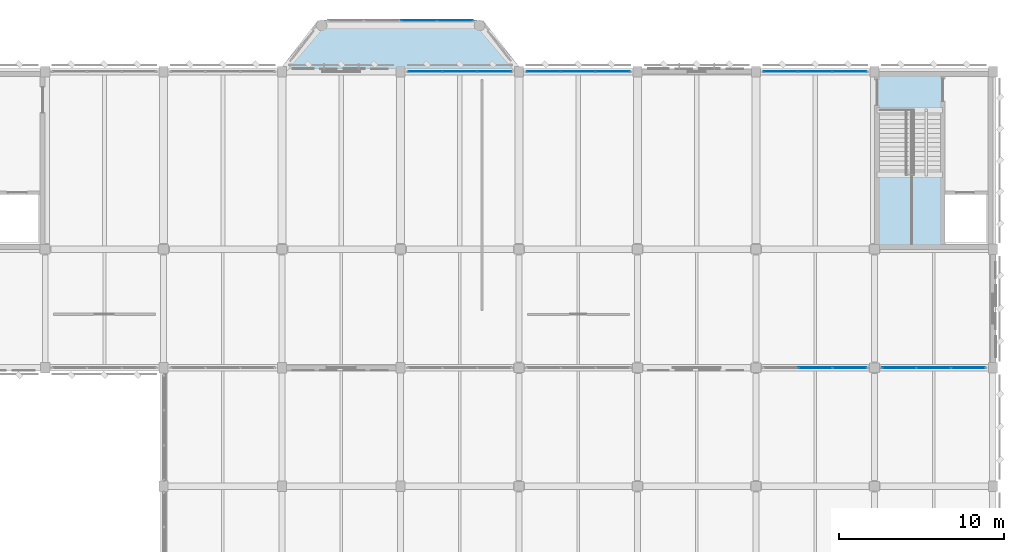
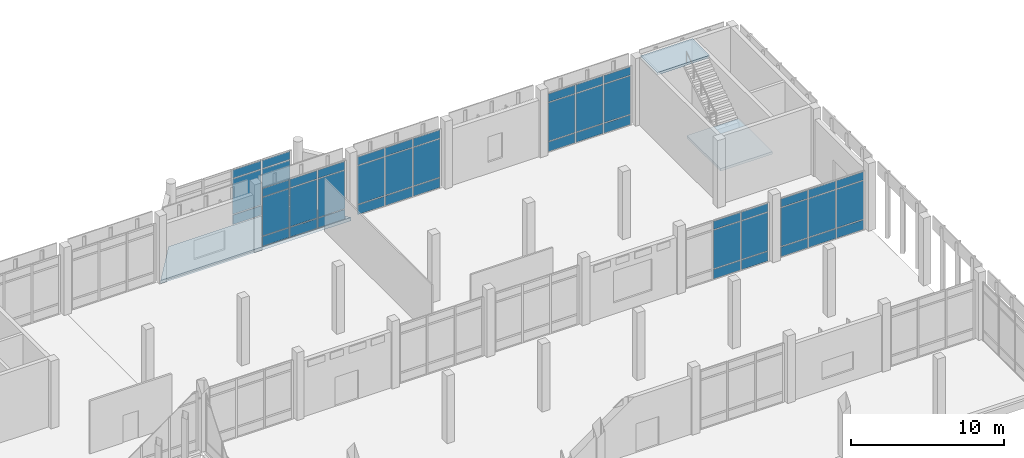
# One storey, part 152 of 180: 48 plates, 3 slabs, 7 elements without a shape of their own.
"""IFC4 building model written with IfcOpenShell, lengths in metres."""

from ifc_helpers import new_model, si_unit, direction, frame, origin, origin_2d, place, context, subcontext, project, spatial, polyline, rectangle, outline, extrude, material, layer, layer_set, type_object, element, aggregate, save


model = new_model("IFC4")

# Units and contexts
model_context = context("Model", 3, precision=1e-05, world=origin(), true_north=direction((0.0, 1.0)))
body_context = subcontext(model_context, "Body", "Model", "MODEL_VIEW")
ifc_project = project(units=[si_unit("LENGTHUNIT", "METRE"), si_unit("AREAUNIT", "SQUARE_METRE"), si_unit("VOLUMEUNIT", "CUBIC_METRE"), si_unit("PLANEANGLEUNIT", "RADIAN"), si_unit("MASSUNIT", "GRAM", prefix="KILO")], contexts=[model_context])

# Site, building, storey
site_placement = place(None, origin())
site = spatial("IfcSite", under=ifc_project, at=site_placement, CompositionType="ELEMENT")
building_placement = place(site_placement, origin())
building = spatial("IfcBuilding", under=site, at=building_placement, Name="Lusvemor Sports Hall", CompositionType="ELEMENT")
storey_placement = place(building_placement, frame((0.0, 0.0, 5.39990234375)))
storey = spatial("IfcBuildingStorey", under=building, at=storey_placement, Name="L01", CompositionType="ELEMENT", Elevation=5.39990234375)

# Curtain wall, plates
ifc_material_1 = material(Name="Thermally broken bronze-anodized aluminium", Category="aluminium")
curtain_wall_type_1 = type_object("IfcCurtainWallType", Name="CW_WING_B", PredefinedType="NOTDEFINED", material=ifc_material_1)
curtain_wall_1_placement = place(storey_placement, origin())
curtain_wall_1 = element("IfcCurtainWall", 1, at=curtain_wall_1_placement, inside=storey, type_object=curtain_wall_type_1, Name="Curtain Wall CW-L01-N-1-14", PredefinedType="NOTDEFINED")
ifc_material_2 = material(Name="Solar-control laminated double glazing", Category="glass")
ifc_layer_1 = layer(ifc_material_2, 0.028076171875)
ifc_layer_set_1 = layer_set([ifc_layer_1], Name="Solar-control laminated double glazing")
plate_type_1 = type_object("IfcPlateType", Name="CW_PAN_GLZ_28", PredefinedType="CURTAIN_PANEL", material=ifc_layer_set_1)
plate_1_placement = place(storey_placement, frame((134.6962890625, 115.199951171875, 0.880126953125), z_axis=(0.0, 0.0, 1.0), x_axis=(1.0, 0.0, 0.0)))
plate_1 = element("IfcPlate", 2, at=plate_1_placement, type_object=plate_type_1, Name="CW02 panel 1.2", PredefinedType="CURTAIN_PANEL", context=body_context, shape_type="SweptSolid", body=[
    extrude(rectangle(XDim=2.0224609375, YDim=0.028076171875, at=origin_2d()), origin(), (0.0, 0.0, 1.0), 3.06005859375),
])
plate_2_placement = place(storey_placement, frame((134.6962890625, 115.199951171875, 4.0), z_axis=(0.0, 0.0, 1.0), x_axis=(1.0, 0.0, 0.0)))
plate_2 = element("IfcPlate", 3, at=plate_2_placement, type_object=plate_type_1, Name="CW02 panel 1.3", PredefinedType="CURTAIN_PANEL", context=body_context, shape_type="SweptSolid", body=[
    extrude(rectangle(XDim=2.0224609375, YDim=0.028076171875, at=origin_2d()), origin(), (0.0, 0.0, 1.0), 0.659912109375),
])
plate_3_placement = place(storey_placement, frame((136.800048828125, 115.199951171875, 0.880126953125), z_axis=(0.0, 0.0, 1.0), x_axis=(1.0, 0.0, 0.0)))
plate_3 = element("IfcPlate", 4, at=plate_3_placement, type_object=plate_type_1, Name="CW02 panel 2.2", PredefinedType="CURTAIN_PANEL", context=body_context, shape_type="SweptSolid", body=[
    extrude(rectangle(XDim=2.054931640625, YDim=0.028076171875, at=origin_2d()), origin(), (0.0, 0.0, 1.0), 3.06005859375),
])
plate_4_placement = place(storey_placement, frame((136.800048828125, 115.199951171875, 4.0), z_axis=(0.0, 0.0, 1.0), x_axis=(1.0, 0.0, 0.0)))
plate_4 = element("IfcPlate", 5, at=plate_4_placement, type_object=plate_type_1, Name="CW02 panel 2.3", PredefinedType="CURTAIN_PANEL", context=body_context, shape_type="SweptSolid", body=[
    extrude(rectangle(XDim=2.054931640625, YDim=0.028076171875, at=origin_2d()), origin(), (0.0, 0.0, 1.0), 0.659912109375),
])
plate_5_placement = place(storey_placement, frame((138.90380859375, 115.199951171875, 0.880126953125), z_axis=(0.0, 0.0, 1.0), x_axis=(1.0, 0.0, 0.0)))
plate_5 = element("IfcPlate", 6, at=plate_5_placement, type_object=plate_type_1, Name="CW02 panel 3.2", PredefinedType="CURTAIN_PANEL", context=body_context, shape_type="SweptSolid", body=[
    extrude(rectangle(XDim=2.0224609375, YDim=0.028076171875, at=origin_2d()), origin(), (0.0, 0.0, 1.0), 3.06005859375),
])
plate_6_placement = place(storey_placement, frame((138.90380859375, 115.199951171875, 4.0), z_axis=(0.0, 0.0, 1.0), x_axis=(1.0, 0.0, 0.0)))
plate_6 = element("IfcPlate", 7, at=plate_6_placement, type_object=plate_type_1, Name="CW02 panel 3.3", PredefinedType="CURTAIN_PANEL", context=body_context, shape_type="SweptSolid", body=[
    extrude(rectangle(XDim=2.0224609375, YDim=0.028076171875, at=origin_2d()), origin(), (0.0, 0.0, 1.0), 0.659912109375),
])

curtain_wall_2_placement = place(storey_placement, origin())
curtain_wall_2 = element("IfcCurtainWall", 8, at=curtain_wall_2_placement, inside=storey, type_object=curtain_wall_type_1, Name="Curtain Wall CW-L01-N-1-15", PredefinedType="NOTDEFINED")
plate_7_placement = place(storey_placement, frame((141.896240234375, 115.199951171875, 0.880126953125), z_axis=(0.0, 0.0, 1.0), x_axis=(1.0, 0.0, 0.0)))
plate_7 = element("IfcPlate", 9, at=plate_7_placement, type_object=plate_type_1, Name="CW02 panel 1.2", PredefinedType="CURTAIN_PANEL", context=body_context, shape_type="SweptSolid", body=[
    extrude(rectangle(XDim=2.0224609375, YDim=0.028076171875, at=origin_2d()), origin(), (0.0, 0.0, 1.0), 3.06005859375),
])
plate_8_placement = place(storey_placement, frame((141.896240234375, 115.199951171875, 4.0), z_axis=(0.0, 0.0, 1.0), x_axis=(1.0, 0.0, 0.0)))
plate_8 = element("IfcPlate", 10, at=plate_8_placement, type_object=plate_type_1, Name="CW02 panel 1.3", PredefinedType="CURTAIN_PANEL", context=body_context, shape_type="SweptSolid", body=[
    extrude(rectangle(XDim=2.0224609375, YDim=0.028076171875, at=origin_2d()), origin(), (0.0, 0.0, 1.0), 0.659912109375),
])
plate_9_placement = place(storey_placement, frame((144.0, 115.199951171875, 0.880126953125), z_axis=(0.0, 0.0, 1.0), x_axis=(1.0, 0.0, 0.0)))
plate_9 = element("IfcPlate", 11, at=plate_9_placement, type_object=plate_type_1, Name="CW02 panel 2.2", PredefinedType="CURTAIN_PANEL", context=body_context, shape_type="SweptSolid", body=[
    extrude(rectangle(XDim=2.054931640625, YDim=0.028076171875, at=origin_2d()), origin(), (0.0, 0.0, 1.0), 3.06005859375),
])
plate_10_placement = place(storey_placement, frame((144.0, 115.199951171875, 4.0), z_axis=(0.0, 0.0, 1.0), x_axis=(1.0, 0.0, 0.0)))
plate_10 = element("IfcPlate", 12, at=plate_10_placement, type_object=plate_type_1, Name="CW02 panel 2.3", PredefinedType="CURTAIN_PANEL", context=body_context, shape_type="SweptSolid", body=[
    extrude(rectangle(XDim=2.054931640625, YDim=0.028076171875, at=origin_2d()), origin(), (0.0, 0.0, 1.0), 0.659912109375),
])
plate_11_placement = place(storey_placement, frame((146.103759765625, 115.199951171875, 0.880126953125), z_axis=(0.0, 0.0, 1.0), x_axis=(1.0, 0.0, 0.0)))
plate_11 = element("IfcPlate", 13, at=plate_11_placement, type_object=plate_type_1, Name="CW02 panel 3.2", PredefinedType="CURTAIN_PANEL", context=body_context, shape_type="SweptSolid", body=[
    extrude(rectangle(XDim=2.0224609375, YDim=0.028076171875, at=origin_2d()), origin(), (0.0, 0.0, 1.0), 3.06005859375),
])
plate_12_placement = place(storey_placement, frame((146.103759765625, 115.199951171875, 4.0), z_axis=(0.0, 0.0, 1.0), x_axis=(1.0, 0.0, 0.0)))
plate_12 = element("IfcPlate", 14, at=plate_12_placement, type_object=plate_type_1, Name="CW02 panel 3.3", PredefinedType="CURTAIN_PANEL", context=body_context, shape_type="SweptSolid", body=[
    extrude(rectangle(XDim=2.0224609375, YDim=0.028076171875, at=origin_2d()), origin(), (0.0, 0.0, 1.0), 0.659912109375),
])

curtain_wall_3_placement = place(storey_placement, origin())
curtain_wall_3 = element("IfcCurtainWall", 15, at=curtain_wall_3_placement, inside=storey, type_object=curtain_wall_type_1, Name="Curtain Wall CW-L01-N-1-17", PredefinedType="NOTDEFINED")
plate_13_placement = place(storey_placement, frame((156.296142578125, 115.199951171875, 0.880126953125), z_axis=(0.0, 0.0, 1.0), x_axis=(1.0, 0.0, 0.0)))
plate_13 = element("IfcPlate", 16, at=plate_13_placement, type_object=plate_type_1, Name="CW02 panel 1.2", PredefinedType="CURTAIN_PANEL", context=body_context, shape_type="SweptSolid", body=[
    extrude(rectangle(XDim=2.0224609375, YDim=0.028076171875, at=origin_2d()), origin(), (0.0, 0.0, 1.0), 3.06005859375),
])
plate_14_placement = place(storey_placement, frame((156.296142578125, 115.199951171875, 4.0), z_axis=(0.0, 0.0, 1.0), x_axis=(1.0, 0.0, 0.0)))
plate_14 = element("IfcPlate", 17, at=plate_14_placement, type_object=plate_type_1, Name="CW02 panel 1.3", PredefinedType="CURTAIN_PANEL", context=body_context, shape_type="SweptSolid", body=[
    extrude(rectangle(XDim=2.0224609375, YDim=0.028076171875, at=origin_2d()), origin(), (0.0, 0.0, 1.0), 0.659912109375),
])
plate_15_placement = place(storey_placement, frame((158.39990234375, 115.199951171875, 0.880126953125), z_axis=(0.0, 0.0, 1.0), x_axis=(1.0, 0.0, 0.0)))
plate_15 = element("IfcPlate", 18, at=plate_15_placement, type_object=plate_type_1, Name="CW02 panel 2.2", PredefinedType="CURTAIN_PANEL", context=body_context, shape_type="SweptSolid", body=[
    extrude(rectangle(XDim=2.054931640625, YDim=0.028076171875, at=origin_2d()), origin(), (0.0, 0.0, 1.0), 3.06005859375),
])
plate_16_placement = place(storey_placement, frame((158.39990234375, 115.199951171875, 4.0), z_axis=(0.0, 0.0, 1.0), x_axis=(1.0, 0.0, 0.0)))
plate_16 = element("IfcPlate", 19, at=plate_16_placement, type_object=plate_type_1, Name="CW02 panel 2.3", PredefinedType="CURTAIN_PANEL", context=body_context, shape_type="SweptSolid", body=[
    extrude(rectangle(XDim=2.054931640625, YDim=0.028076171875, at=origin_2d()), origin(), (0.0, 0.0, 1.0), 0.659912109375),
])
plate_17_placement = place(storey_placement, frame((160.503662109375, 115.199951171875, 0.880126953125), z_axis=(0.0, 0.0, 1.0), x_axis=(1.0, 0.0, 0.0)))
plate_17 = element("IfcPlate", 20, at=plate_17_placement, type_object=plate_type_1, Name="CW02 panel 3.2", PredefinedType="CURTAIN_PANEL", context=body_context, shape_type="SweptSolid", body=[
    extrude(rectangle(XDim=2.0224609375, YDim=0.028076171875, at=origin_2d()), origin(), (0.0, 0.0, 1.0), 3.06005859375),
])
plate_18_placement = place(storey_placement, frame((160.503662109375, 115.199951171875, 4.0), z_axis=(0.0, 0.0, 1.0), x_axis=(1.0, 0.0, 0.0)))
plate_18 = element("IfcPlate", 21, at=plate_18_placement, type_object=plate_type_1, Name="CW02 panel 3.3", PredefinedType="CURTAIN_PANEL", context=body_context, shape_type="SweptSolid", body=[
    extrude(rectangle(XDim=2.0224609375, YDim=0.028076171875, at=origin_2d()), origin(), (0.0, 0.0, 1.0), 0.659912109375),
])

curtain_wall_4_placement = place(storey_placement, origin())
curtain_wall_4 = element("IfcCurtainWall", 22, at=curtain_wall_4_placement, inside=storey, type_object=curtain_wall_type_1, Name="Curtain Wall CW-L01-S-3-15", PredefinedType="NOTDEFINED")
plate_19_placement = place(storey_placement, frame((160.503662109375, 97.199951171875, 0.880126953125), z_axis=(0.0, 0.0, 1.0), x_axis=(-1.0, 0.0, 0.0)))
plate_19 = element("IfcPlate", 23, at=plate_19_placement, type_object=plate_type_1, Name="CW02 panel 1.2", PredefinedType="CURTAIN_PANEL", context=body_context, shape_type="SweptSolid", body=[
    extrude(rectangle(XDim=2.0224609375, YDim=0.028076171875, at=origin_2d()), origin(), (0.0, 0.0, 1.0), 3.06005859375),
])
plate_20_placement = place(storey_placement, frame((160.503662109375, 97.199951171875, 4.0), z_axis=(0.0, 0.0, 1.0), x_axis=(-1.0, 0.0, 0.0)))
plate_20 = element("IfcPlate", 24, at=plate_20_placement, type_object=plate_type_1, Name="CW02 panel 1.3", PredefinedType="CURTAIN_PANEL", context=body_context, shape_type="SweptSolid", body=[
    extrude(rectangle(XDim=2.0224609375, YDim=0.028076171875, at=origin_2d()), origin(), (0.0, 0.0, 1.0), 0.659912109375),
])
plate_21_placement = place(storey_placement, frame((158.39990234375, 97.199951171875, 0.880126953125), z_axis=(0.0, 0.0, 1.0), x_axis=(-1.0, 0.0, 0.0)))
plate_21 = element("IfcPlate", 25, at=plate_21_placement, type_object=plate_type_1, Name="CW02 panel 2.2", PredefinedType="CURTAIN_PANEL", context=body_context, shape_type="SweptSolid", body=[
    extrude(rectangle(XDim=2.054931640625, YDim=0.028076171875, at=origin_2d()), origin(), (0.0, 0.0, 1.0), 3.06005859375),
])
plate_22_placement = place(storey_placement, frame((158.39990234375, 97.199951171875, 4.0), z_axis=(0.0, 0.0, 1.0), x_axis=(-1.0, 0.0, 0.0)))
plate_22 = element("IfcPlate", 26, at=plate_22_placement, type_object=plate_type_1, Name="CW02 panel 2.3", PredefinedType="CURTAIN_PANEL", context=body_context, shape_type="SweptSolid", body=[
    extrude(rectangle(XDim=2.054931640625, YDim=0.028076171875, at=origin_2d()), origin(), (0.0, 0.0, 1.0), 0.659912109375),
])

curtain_wall_5_placement = place(storey_placement, origin())
curtain_wall_5 = element("IfcCurtainWall", 27, at=curtain_wall_5_placement, inside=storey, type_object=curtain_wall_type_1, Name="Curtain Wall CW-L01-S-3-16", PredefinedType="NOTDEFINED")
plate_23_placement = place(storey_placement, frame((167.703857421875, 97.199951171875, 0.880126953125), z_axis=(0.0, 0.0, 1.0), x_axis=(-1.0, 0.0, 0.0)))
plate_23 = element("IfcPlate", 28, at=plate_23_placement, type_object=plate_type_1, Name="CW02 panel 1.2", PredefinedType="CURTAIN_PANEL", context=body_context, shape_type="SweptSolid", body=[
    extrude(rectangle(XDim=2.0224609375, YDim=0.028076171875, at=origin_2d()), origin(), (0.0, 0.0, 1.0), 3.06005859375),
])
plate_24_placement = place(storey_placement, frame((167.703857421875, 97.199951171875, 4.0), z_axis=(0.0, 0.0, 1.0), x_axis=(-1.0, 0.0, 0.0)))
plate_24 = element("IfcPlate", 29, at=plate_24_placement, type_object=plate_type_1, Name="CW02 panel 1.3", PredefinedType="CURTAIN_PANEL", context=body_context, shape_type="SweptSolid", body=[
    extrude(rectangle(XDim=2.0224609375, YDim=0.028076171875, at=origin_2d()), origin(), (0.0, 0.0, 1.0), 0.659912109375),
])
plate_25_placement = place(storey_placement, frame((165.60009765625, 97.199951171875, 0.880126953125), z_axis=(0.0, 0.0, 1.0), x_axis=(-1.0, 0.0, 0.0)))
plate_25 = element("IfcPlate", 30, at=plate_25_placement, type_object=plate_type_1, Name="CW02 panel 2.2", PredefinedType="CURTAIN_PANEL", context=body_context, shape_type="SweptSolid", body=[
    extrude(rectangle(XDim=2.054931640625, YDim=0.028076171875, at=origin_2d()), origin(), (0.0, 0.0, 1.0), 3.06005859375),
])
plate_26_placement = place(storey_placement, frame((165.60009765625, 97.199951171875, 4.0), z_axis=(0.0, 0.0, 1.0), x_axis=(-1.0, 0.0, 0.0)))
plate_26 = element("IfcPlate", 31, at=plate_26_placement, type_object=plate_type_1, Name="CW02 panel 2.3", PredefinedType="CURTAIN_PANEL", context=body_context, shape_type="SweptSolid", body=[
    extrude(rectangle(XDim=2.054931640625, YDim=0.028076171875, at=origin_2d()), origin(), (0.0, 0.0, 1.0), 0.659912109375),
])
plate_27_placement = place(storey_placement, frame((163.496337890625, 97.199951171875, 0.880126953125), z_axis=(0.0, 0.0, 1.0), x_axis=(-1.0, 0.0, 0.0)))
plate_27 = element("IfcPlate", 32, at=plate_27_placement, type_object=plate_type_1, Name="CW02 panel 3.2", PredefinedType="CURTAIN_PANEL", context=body_context, shape_type="SweptSolid", body=[
    extrude(rectangle(XDim=2.0224609375, YDim=0.028076171875, at=origin_2d()), origin(), (0.0, 0.0, 1.0), 3.06005859375),
])
plate_28_placement = place(storey_placement, frame((163.496337890625, 97.199951171875, 4.0), z_axis=(0.0, 0.0, 1.0), x_axis=(-1.0, 0.0, 0.0)))
plate_28 = element("IfcPlate", 33, at=plate_28_placement, type_object=plate_type_1, Name="CW02 panel 3.3", PredefinedType="CURTAIN_PANEL", context=body_context, shape_type="SweptSolid", body=[
    extrude(rectangle(XDim=2.0224609375, YDim=0.028076171875, at=origin_2d()), origin(), (0.0, 0.0, 1.0), 0.659912109375),
])

ifc_material_3 = material(Name="Thermally broken bronze-anodized aluminium", Category="aluminium")
curtain_wall_type_2 = type_object("IfcCurtainWallType", Name="CW_FOYER_A", PredefinedType="NOTDEFINED", material=ifc_material_3)
curtain_wall_6_placement = place(storey_placement, origin())
curtain_wall_6 = element("IfcCurtainWall", 34, at=curtain_wall_6_placement, inside=storey, type_object=curtain_wall_type_2, Name="Curtain Wall CW-BOW-N3-L01-M", PredefinedType="NOTDEFINED")
plate_29_placement = place(storey_placement, frame((134.3125, 118.300048828125, 0.882568359375), z_axis=(0.0, 0.0, 1.0), x_axis=(1.0, 0.0, 0.0)))
plate_29 = element("IfcPlate", 35, at=plate_29_placement, type_object=plate_type_1, Name="CW01 panel 3.2", PredefinedType="CURTAIN_PANEL", context=body_context, shape_type="SweptSolid", body=[
    extrude(rectangle(XDim=2.155029296875, YDim=0.028076171875, at=origin_2d()), origin(), (0.0, 0.0, 1.0), 2.81494140625),
])
plate_30_placement = place(storey_placement, frame((134.3125, 118.300048828125, 3.7626953125), z_axis=(0.0, 0.0, 1.0), x_axis=(1.0, 0.0, 0.0)))
plate_30 = element("IfcPlate", 36, at=plate_30_placement, type_object=plate_type_1, Name="CW01 panel 3.3", PredefinedType="CURTAIN_PANEL", context=body_context, shape_type="SweptSolid", body=[
    extrude(rectangle(XDim=2.155029296875, YDim=0.028076171875, at=origin_2d()), origin(), (0.0, 0.0, 1.0), 0.652587890625),
])
plate_31_placement = place(storey_placement, frame((136.52001953125, 118.300048828125, 0.882568359375), z_axis=(0.0, 0.0, 1.0), x_axis=(1.0, 0.0, 0.0)))
plate_31 = element("IfcPlate", 37, at=plate_31_placement, type_object=plate_type_1, Name="CW01 panel 4.2", PredefinedType="CURTAIN_PANEL", context=body_context, shape_type="SweptSolid", body=[
    extrude(rectangle(XDim=2.1201171875, YDim=0.028076171875, at=origin_2d()), origin(), (0.0, 0.0, 1.0), 2.81494140625),
])
plate_32_placement = place(storey_placement, frame((136.52001953125, 118.300048828125, 3.7626953125), z_axis=(0.0, 0.0, 1.0), x_axis=(1.0, 0.0, 0.0)))
plate_32 = element("IfcPlate", 38, at=plate_32_placement, type_object=plate_type_1, Name="CW01 panel 4.3", PredefinedType="CURTAIN_PANEL", context=body_context, shape_type="SweptSolid", body=[
    extrude(rectangle(XDim=2.1201171875, YDim=0.028076171875, at=origin_2d()), origin(), (0.0, 0.0, 1.0), 0.652587890625),
])

# Plate
ifc_material_4 = material(Name="Emerald polychrome glazed ceramic cladding on Concrete C40/50 backing", Category="concrete")
ifc_layer_2 = layer(ifc_material_4, 0.048095703125)
ifc_layer_set_2 = layer_set([ifc_layer_2], Name="Emerald polychrome glazed ceramic cladding on Concrete C40/50 backing")
plate_type_2 = type_object("IfcPlateType", Name="CW_PAN_SPN_48", PredefinedType="CURTAIN_PANEL", material=ifc_layer_set_2)
plate_33_placement = place(storey_placement, frame((134.6962890625, 115.199951171875, 0.06005859375), z_axis=(0.0, 0.0, 1.0), x_axis=(1.0, 0.0, 0.0)))
plate_33 = element("IfcPlate", 39, at=plate_33_placement, type_object=plate_type_2, Name="CW02 panel 1.1", PredefinedType="CURTAIN_PANEL", context=body_context, shape_type="SweptSolid", body=[
    extrude(rectangle(XDim=2.0224609375, YDim=0.048095703125, at=origin_2d()), origin(), (0.0, 0.0, 1.0), 0.760009765625),
])

plate_34_placement = place(storey_placement, frame((136.800048828125, 115.199951171875, 0.06005859375), z_axis=(0.0, 0.0, 1.0), x_axis=(1.0, 0.0, 0.0)))
plate_34 = element("IfcPlate", 40, at=plate_34_placement, type_object=plate_type_2, Name="CW02 panel 2.1", PredefinedType="CURTAIN_PANEL", context=body_context, shape_type="SweptSolid", body=[
    extrude(rectangle(XDim=2.054931640625, YDim=0.048095703125, at=origin_2d()), origin(), (0.0, 0.0, 1.0), 0.760009765625),
])

plate_35_placement = place(storey_placement, frame((138.90380859375, 115.199951171875, 0.06005859375), z_axis=(0.0, 0.0, 1.0), x_axis=(1.0, 0.0, 0.0)))
plate_35 = element("IfcPlate", 41, at=plate_35_placement, type_object=plate_type_2, Name="CW02 panel 3.1", PredefinedType="CURTAIN_PANEL", context=body_context, shape_type="SweptSolid", body=[
    extrude(rectangle(XDim=2.0224609375, YDim=0.048095703125, at=origin_2d()), origin(), (0.0, 0.0, 1.0), 0.760009765625),
])

aggregate(curtain_wall_1, [plate_33, plate_1, plate_2, plate_34, plate_3, plate_4, plate_35, plate_5, plate_6])

plate_36_placement = place(storey_placement, frame((141.896240234375, 115.199951171875, 0.06005859375), z_axis=(0.0, 0.0, 1.0), x_axis=(1.0, 0.0, 0.0)))
plate_36 = element("IfcPlate", 42, at=plate_36_placement, type_object=plate_type_2, Name="CW02 panel 1.1", PredefinedType="CURTAIN_PANEL", context=body_context, shape_type="SweptSolid", body=[
    extrude(rectangle(XDim=2.0224609375, YDim=0.048095703125, at=origin_2d()), origin(), (0.0, 0.0, 1.0), 0.760009765625),
])

plate_37_placement = place(storey_placement, frame((144.0, 115.199951171875, 0.06005859375), z_axis=(0.0, 0.0, 1.0), x_axis=(1.0, 0.0, 0.0)))
plate_37 = element("IfcPlate", 43, at=plate_37_placement, type_object=plate_type_2, Name="CW02 panel 2.1", PredefinedType="CURTAIN_PANEL", context=body_context, shape_type="SweptSolid", body=[
    extrude(rectangle(XDim=2.054931640625, YDim=0.048095703125, at=origin_2d()), origin(), (0.0, 0.0, 1.0), 0.760009765625),
])

plate_38_placement = place(storey_placement, frame((146.103759765625, 115.199951171875, 0.06005859375), z_axis=(0.0, 0.0, 1.0), x_axis=(1.0, 0.0, 0.0)))
plate_38 = element("IfcPlate", 44, at=plate_38_placement, type_object=plate_type_2, Name="CW02 panel 3.1", PredefinedType="CURTAIN_PANEL", context=body_context, shape_type="SweptSolid", body=[
    extrude(rectangle(XDim=2.0224609375, YDim=0.048095703125, at=origin_2d()), origin(), (0.0, 0.0, 1.0), 0.760009765625),
])

aggregate(curtain_wall_2, [plate_36, plate_7, plate_8, plate_37, plate_9, plate_10, plate_38, plate_11, plate_12])

plate_39_placement = place(storey_placement, frame((156.296142578125, 115.199951171875, 0.06005859375), z_axis=(0.0, 0.0, 1.0), x_axis=(1.0, 0.0, 0.0)))
plate_39 = element("IfcPlate", 45, at=plate_39_placement, type_object=plate_type_2, Name="CW02 panel 1.1", PredefinedType="CURTAIN_PANEL", context=body_context, shape_type="SweptSolid", body=[
    extrude(rectangle(XDim=2.0224609375, YDim=0.048095703125, at=origin_2d()), origin(), (0.0, 0.0, 1.0), 0.760009765625),
])

plate_40_placement = place(storey_placement, frame((158.39990234375, 115.199951171875, 0.06005859375), z_axis=(0.0, 0.0, 1.0), x_axis=(1.0, 0.0, 0.0)))
plate_40 = element("IfcPlate", 46, at=plate_40_placement, type_object=plate_type_2, Name="CW02 panel 2.1", PredefinedType="CURTAIN_PANEL", context=body_context, shape_type="SweptSolid", body=[
    extrude(rectangle(XDim=2.054931640625, YDim=0.048095703125, at=origin_2d()), origin(), (0.0, 0.0, 1.0), 0.760009765625),
])

plate_41_placement = place(storey_placement, frame((160.503662109375, 115.199951171875, 0.06005859375), z_axis=(0.0, 0.0, 1.0), x_axis=(1.0, 0.0, 0.0)))
plate_41 = element("IfcPlate", 47, at=plate_41_placement, type_object=plate_type_2, Name="CW02 panel 3.1", PredefinedType="CURTAIN_PANEL", context=body_context, shape_type="SweptSolid", body=[
    extrude(rectangle(XDim=2.0224609375, YDim=0.048095703125, at=origin_2d()), origin(), (0.0, 0.0, 1.0), 0.760009765625),
])

aggregate(curtain_wall_3, [plate_39, plate_13, plate_14, plate_40, plate_15, plate_16, plate_41, plate_17, plate_18])

plate_42_placement = place(storey_placement, frame((160.503662109375, 97.199951171875, 0.06005859375), z_axis=(0.0, 0.0, 1.0), x_axis=(-1.0, 0.0, 0.0)))
plate_42 = element("IfcPlate", 48, at=plate_42_placement, type_object=plate_type_2, Name="CW02 panel 1.1", PredefinedType="CURTAIN_PANEL", context=body_context, shape_type="SweptSolid", body=[
    extrude(rectangle(XDim=2.0224609375, YDim=0.048095703125, at=origin_2d()), origin(), (0.0, 0.0, 1.0), 0.760009765625),
])

plate_43_placement = place(storey_placement, frame((158.39990234375, 97.199951171875, 0.06005859375), z_axis=(0.0, 0.0, 1.0), x_axis=(-1.0, 0.0, 0.0)))
plate_43 = element("IfcPlate", 49, at=plate_43_placement, type_object=plate_type_2, Name="CW02 panel 2.1", PredefinedType="CURTAIN_PANEL", context=body_context, shape_type="SweptSolid", body=[
    extrude(rectangle(XDim=2.054931640625, YDim=0.048095703125, at=origin_2d()), origin(), (0.0, 0.0, 1.0), 0.760009765625),
])

aggregate(curtain_wall_4, [plate_42, plate_19, plate_20, plate_43, plate_21, plate_22])

plate_44_placement = place(storey_placement, frame((167.703857421875, 97.199951171875, 0.06005859375), z_axis=(0.0, 0.0, 1.0), x_axis=(-1.0, 0.0, 0.0)))
plate_44 = element("IfcPlate", 50, at=plate_44_placement, type_object=plate_type_2, Name="CW02 panel 1.1", PredefinedType="CURTAIN_PANEL", context=body_context, shape_type="SweptSolid", body=[
    extrude(rectangle(XDim=2.0224609375, YDim=0.048095703125, at=origin_2d()), origin(), (0.0, 0.0, 1.0), 0.760009765625),
])

plate_45_placement = place(storey_placement, frame((165.60009765625, 97.199951171875, 0.06005859375), z_axis=(0.0, 0.0, 1.0), x_axis=(-1.0, 0.0, 0.0)))
plate_45 = element("IfcPlate", 51, at=plate_45_placement, type_object=plate_type_2, Name="CW02 panel 2.1", PredefinedType="CURTAIN_PANEL", context=body_context, shape_type="SweptSolid", body=[
    extrude(rectangle(XDim=2.054931640625, YDim=0.048095703125, at=origin_2d()), origin(), (0.0, 0.0, 1.0), 0.760009765625),
])

plate_46_placement = place(storey_placement, frame((163.496337890625, 97.199951171875, 0.06005859375), z_axis=(0.0, 0.0, 1.0), x_axis=(-1.0, 0.0, 0.0)))
plate_46 = element("IfcPlate", 52, at=plate_46_placement, type_object=plate_type_2, Name="CW02 panel 3.1", PredefinedType="CURTAIN_PANEL", context=body_context, shape_type="SweptSolid", body=[
    extrude(rectangle(XDim=2.0224609375, YDim=0.048095703125, at=origin_2d()), origin(), (0.0, 0.0, 1.0), 0.760009765625),
])

aggregate(curtain_wall_5, [plate_44, plate_23, plate_24, plate_45, plate_25, plate_26, plate_46, plate_27, plate_28])

plate_47_placement = place(storey_placement, frame((134.3125, 118.300048828125, 0.065185546875), z_axis=(0.0, 0.0, 1.0), x_axis=(1.0, 0.0, 0.0)))
plate_47 = element("IfcPlate", 53, at=plate_47_placement, type_object=plate_type_2, Name="CW01 panel 3.1", PredefinedType="CURTAIN_PANEL", context=body_context, shape_type="SweptSolid", body=[
    extrude(rectangle(XDim=2.155029296875, YDim=0.048095703125, at=origin_2d()), origin(), (0.0, 0.0, 1.0), 0.75244140625),
])

plate_48_placement = place(storey_placement, frame((136.52001953125, 118.300048828125, 0.065185546875), z_axis=(0.0, 0.0, 1.0), x_axis=(1.0, 0.0, 0.0)))
plate_48 = element("IfcPlate", 54, at=plate_48_placement, type_object=plate_type_2, Name="CW01 panel 4.1", PredefinedType="CURTAIN_PANEL", context=body_context, shape_type="SweptSolid", body=[
    extrude(rectangle(XDim=2.1201171875, YDim=0.048095703125, at=origin_2d()), origin(), (0.0, 0.0, 1.0), 0.75244140625),
])

aggregate(curtain_wall_6, [plate_47, plate_29, plate_30, plate_48, plate_31, plate_32])

# Slab
ifc_material_5 = material(Name="Concrete C40/50", Category="concrete")
ifc_layer_3 = layer(ifc_material_5, 0.260009765625)
ifc_layer_set_3 = layer_set([ifc_layer_3], Name="Concrete C40/50")
slab_type_1 = type_object("IfcSlabType", Name="SLAB_INT_260", PredefinedType="FLOOR", material=ifc_layer_set_3)
slab_1_placement = place(storey_placement, frame((0.0, 0.0, -0.260009765625)))
element("IfcSlab", 55, at=slab_1_placement, inside=storey, type_object=slab_type_1, Name="Bow Pavilion Slab BOW-N3 (L01)", PredefinedType="FLOOR", context=body_context, shape_type="SweptSolid", body=[
    extrude(outline(polyline([(126.0, 115.199951171875), (128.39990234375, 118.300048828125), (138.0, 118.300048828125), (140.39990234375, 115.199951171875), (126.0, 115.199951171875)])), origin(), (0.0, 0.0, 1.0), 0.260009765625),
])

# Stair, slabs
ifc_material_6 = material(Name="Concrete C40/50", Category="concrete")
stair_type = type_object("IfcStairType", Name="STAIR_CORE_540", PredefinedType="HALF_TURN_STAIR", material=ifc_material_6)
stair_placement = place(storey_placement, origin())
stair = element("IfcStair", 56, at=stair_placement, inside=storey, type_object=stair_type, Name="Escape Stair C5 (L01)", PredefinedType="HALF_TURN_STAIR")
ifc_material_7 = material(Name="Concrete C40/50", Category="concrete")
ifc_layer_4 = layer(ifc_material_7, 0.199951171875)
ifc_layer_set_4 = layer_set([ifc_layer_4], Name="Concrete C40/50")
slab_type_2 = type_object("IfcSlabType", Name="SLAB_LAND_200", PredefinedType="LANDING", material=ifc_layer_set_4)
slab_2_placement = place(storey_placement, frame((0.0, 0.0, 2.5)))
slab_2 = element("IfcSlab", 57, at=slab_2_placement, type_object=slab_type_2, Name="ST01 landing 1", PredefinedType="LANDING", context=body_context, shape_type="SweptSolid", body=[
    extrude(outline(polyline([(162.179931640625, 104.580078125), (166.1201171875, 104.580078125), (166.1201171875, 108.969970703125), (162.179931640625, 108.969970703125), (162.179931640625, 104.580078125)])), origin(), (0.0, 0.0, 1.0), 0.2001953125),
])
slab_3_placement = place(storey_placement, frame((0.0, 0.0, 5.2001953125)))
slab_3 = element("IfcSlab", 58, at=slab_3_placement, type_object=slab_type_2, Name="ST01 landing 2", PredefinedType="LANDING", context=body_context, shape_type="SweptSolid", body=[
    extrude(outline(polyline([(162.179931640625, 112.81005859375), (166.1201171875, 112.81005859375), (166.1201171875, 115.02001953125), (162.179931640625, 115.02001953125), (162.179931640625, 112.81005859375)])), origin(), (0.0, 0.0, 1.0), 0.199951171875),
])
aggregate(stair, [slab_2, slab_3])

save(model, "model.ifc")
